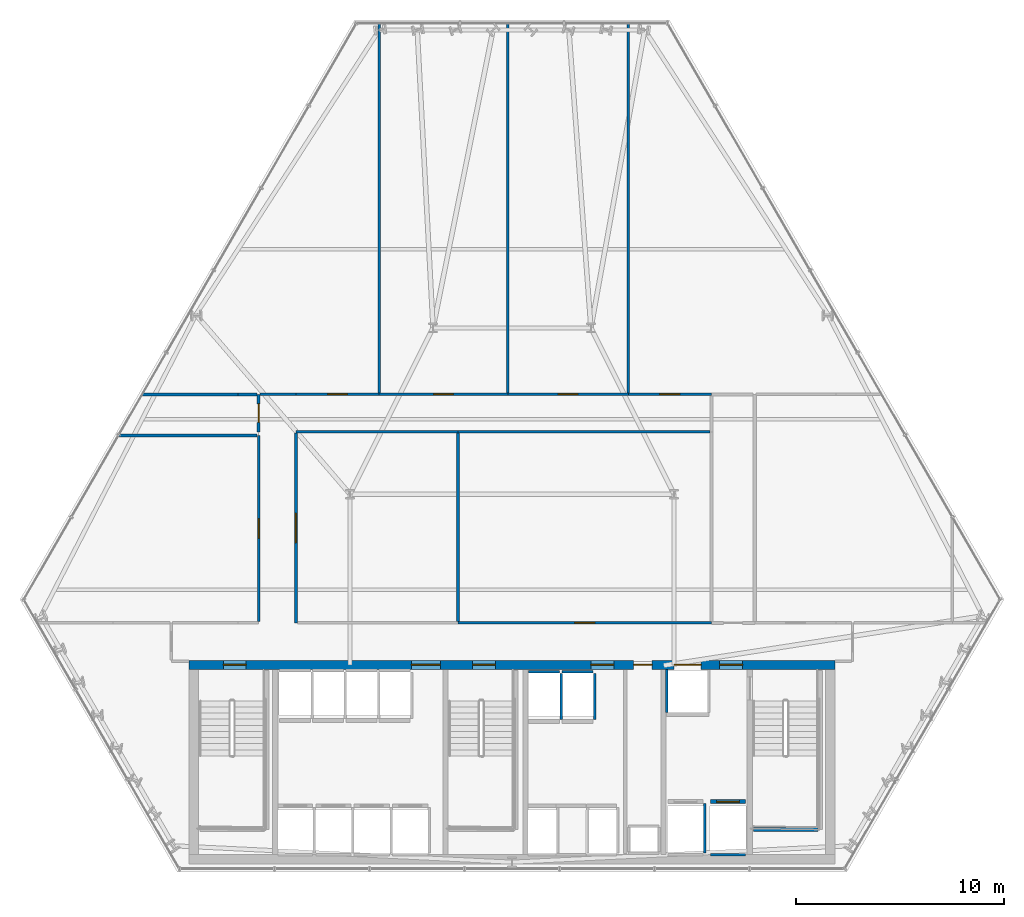
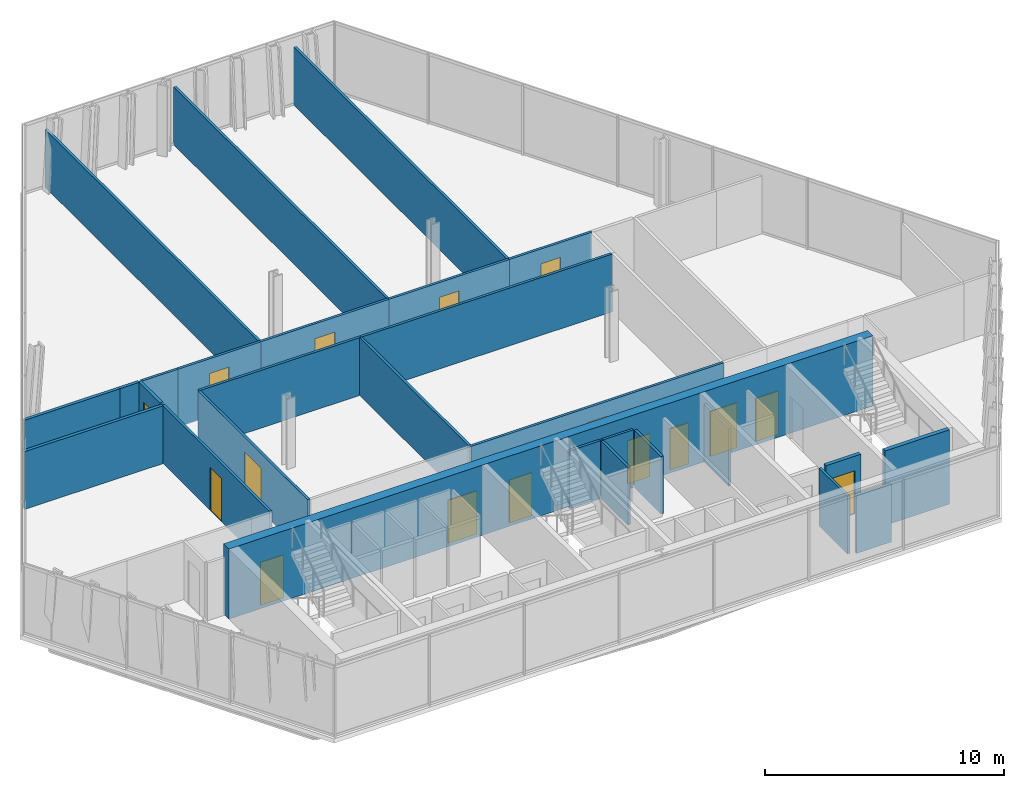
# One storey, part 28 of 32: 28 walls, 16 doors, 16 openings.
"""IFC4 building model written with IfcOpenShell, lengths in metres."""

from ifc_helpers import new_model, si_unit, direction, frame, frame_2d, origin, place, context, subcontext, project, spatial, rectangle, extrude, material, layer, layer_set, type_object, element, fill, save


model = new_model("IFC4")

# Units and contexts
model_context = context("Model", 3, precision=1e-05, world=origin(), true_north=direction((0.0, 1.0)))
body_context = subcontext(model_context, "Body", "Model", "MODEL_VIEW")
ifc_project = project(units=[si_unit("LENGTHUNIT", "METRE"), si_unit("AREAUNIT", "SQUARE_METRE"), si_unit("VOLUMEUNIT", "CUBIC_METRE"), si_unit("PLANEANGLEUNIT", "RADIAN"), si_unit("MASSUNIT", "GRAM", prefix="KILO")], contexts=[model_context])

# Site, building, storey
site_placement = place(None, origin())
site = spatial("IfcSite", under=ifc_project, at=site_placement, CompositionType="ELEMENT")
building_placement = place(site_placement, origin())
building = spatial("IfcBuilding", under=site, at=building_placement, Name="Ndaravel Arena Tower", CompositionType="ELEMENT")
storey_placement = place(building_placement, frame((0.0, 0.0, 77.800048828125)))
storey = spatial("IfcBuildingStorey", under=building, at=storey_placement, Name="L17", CompositionType="ELEMENT", Elevation=77.800048828125)

# Wall, openings, doors
ifc_material_1 = material(Name="Concrete C60/75", Category="concrete")
ifc_layer_1 = layer(ifc_material_1, 0.449951171875)
ifc_layer_set_1 = layer_set([ifc_layer_1], Name="Concrete C60/75")
wall_type_1 = type_object("IfcWallType", Name="WALL-CORE-450", PredefinedType="SOLIDWALL", material=ifc_layer_set_1)
wall_1_placement = place(storey_placement, frame((26.449951171875, 14.97509765625, 0.0), z_axis=(0.0, 0.0, 1.0), x_axis=(1.0, 0.0, 0.0)))
wall_1 = element("IfcWall", 1, at=wall_1_placement, inside=storey, type_object=wall_type_1, Name="L17 Core North Shear Wall", PredefinedType="SOLIDWALL", context=body_context, shape_type="SweptSolid", body=[
    extrude(rectangle(XDim=31.10009765625, YDim=0.449951171875, at=frame_2d((15.550048828125, 0.0))), origin(), (0.0, 0.0, 1.0), 3.579833984375),
])
opening_1_placement = place(wall_1_placement, frame((1.64990234375, 0.0, 0.0)))
opening_1 = element("IfcOpeningElement", 2, at=opening_1_placement, cuts=wall_1, Name="Opening FD-01", PredefinedType="OPENING", context=body_context, shape_type="SweptSolid", body=[
    extrude(rectangle(XDim=1.10009765625, YDim=2.199951171875, at=frame_2d((0.550048828125, 1.10009765625))), frame((0.0, 0.22509765625, 0.0), z_axis=(0.0, -1.0, 0.0), x_axis=(1.0, 0.0, 0.0)), (0.0, 0.0, 1.0), 0.449951171875),
])
opening_2_placement = place(wall_1_placement, frame((13.64990234375, 0.0, 0.0)))
opening_2 = element("IfcOpeningElement", 3, at=opening_2_placement, cuts=wall_1, Name="Opening FD-01", PredefinedType="OPENING", context=body_context, shape_type="SweptSolid", body=[
    extrude(rectangle(XDim=1.10009765625, YDim=2.199951171875, at=frame_2d((0.550048828125, 1.10009765625))), frame((0.0, 0.22509765625, 0.0), z_axis=(0.0, -1.0, 0.0), x_axis=(1.0, 0.0, 0.0)), (0.0, 0.0, 1.0), 0.449951171875),
])
opening_3_placement = place(wall_1_placement, frame((25.550048828125, 0.0, 0.0)))
opening_3 = element("IfcOpeningElement", 4, at=opening_3_placement, cuts=wall_1, Name="Opening FD-01", PredefinedType="OPENING", context=body_context, shape_type="SweptSolid", body=[
    extrude(rectangle(XDim=1.10009765625, YDim=2.199951171875, at=frame_2d((0.550048828125, 1.10009765625))), frame((0.0, 0.22509765625, 0.0), z_axis=(0.0, -1.0, 0.0), x_axis=(1.0, 0.0, 0.0)), (0.0, 0.0, 1.0), 0.449951171875),
])
opening_4_placement = place(wall_1_placement, frame((10.699951171875, 0.0, 0.0)))
opening_4 = element("IfcOpeningElement", 5, at=opening_4_placement, cuts=wall_1, Name="Opening ID-02", PredefinedType="OPENING", context=body_context, shape_type="SweptSolid", body=[
    extrude(rectangle(XDim=1.39990234375, YDim=2.199951171875, at=frame_2d((0.699951171875, 1.10009765625))), frame((0.0, 0.22509765625, 0.0), z_axis=(0.0, -1.0, 0.0), x_axis=(1.0, 0.0, 0.0)), (0.0, 0.0, 1.0), 0.449951171875),
])
opening_5_placement = place(wall_1_placement, frame((19.35009765625, 0.0, 0.0)))
opening_5 = element("IfcOpeningElement", 6, at=opening_5_placement, cuts=wall_1, Name="Opening FD-01", PredefinedType="OPENING", context=body_context, shape_type="SweptSolid", body=[
    extrude(rectangle(XDim=1.10009765625, YDim=2.199951171875, at=frame_2d((0.550048828125, 1.10009765625))), frame((0.0, 0.22509765625, 0.0), z_axis=(0.0, -1.0, 0.0), x_axis=(1.0, 0.0, 0.0)), (0.0, 0.0, 1.0), 0.449951171875),
])
opening_6_placement = place(wall_1_placement, frame((21.39990234375, 0.0, 0.0)))
opening_6 = element("IfcOpeningElement", 7, at=opening_6_placement, cuts=wall_1, Name="Opening RD-01", PredefinedType="OPENING", context=body_context, shape_type="SweptSolid", body=[
    extrude(rectangle(XDim=0.89990234375, YDim=2.10009765625, at=frame_2d((0.449951171875, 1.050048828125))), frame((0.0, 0.22509765625, 0.0), z_axis=(0.0, -1.0, 0.0), x_axis=(1.0, 0.0, 0.0)), (0.0, 0.0, 1.0), 0.449951171875),
])
opening_7_placement = place(wall_1_placement, frame((23.35009765625, 0.0, 0.0)))
opening_7 = element("IfcOpeningElement", 8, at=opening_7_placement, cuts=wall_1, Name="Opening LD-02", PredefinedType="OPENING", context=body_context, shape_type="SweptSolid", body=[
    extrude(rectangle(XDim=1.300048828125, YDim=2.300048828125, at=frame_2d((0.64990234375, 1.14990234375))), frame((0.0, 0.22509765625, 0.0), z_axis=(0.0, -1.0, 0.0), x_axis=(1.0, 0.0, 0.0)), (0.0, 0.0, 1.0), 0.449951171875),
])
ifc_material_2 = material(Name="Steel S355", Category="steel")
door_type_1 = type_object("IfcDoorType", Name="DT-01-STAIR-1100", OperationType="SINGLE_SWING_LEFT", PredefinedType="DOOR", material=ifc_material_2)
door_1_placement = place(opening_1_placement, origin())
door_1 = element("IfcDoor", 9, at=door_1_placement, inside=storey, type_object=door_type_1, Name="L17 Exit Stair ST-1 Door", OperationType="SINGLE_SWING_RIGHT", OverallHeight=2.199951171875, OverallWidth=1.10009765625, PredefinedType="DOOR", context=body_context, shape_type="SweptSolid", body=[
    extrude(rectangle(XDim=1.10009765625, YDim=2.199951171875, at=frame_2d((0.550048828125, 1.10009765625))), frame((0.0, 0.02490234375, 0.0), z_axis=(0.0, -1.0, 0.0), x_axis=(1.0, 0.0, 0.0)), (0.0, 0.0, 1.0), 0.050048828125),
])
fill(opening_1, door_1)
door_2_placement = place(opening_2_placement, origin())
door_2 = element("IfcDoor", 10, at=door_2_placement, inside=storey, type_object=door_type_1, Name="L17 Exit Stair ST-2 Door", OperationType="SINGLE_SWING_LEFT", OverallHeight=2.199951171875, OverallWidth=1.10009765625, PredefinedType="DOOR", context=body_context, shape_type="SweptSolid", body=[
    extrude(rectangle(XDim=1.10009765625, YDim=2.199951171875, at=frame_2d((0.550048828125, 1.10009765625))), frame((0.0, 0.02490234375, 0.0), z_axis=(0.0, -1.0, 0.0), x_axis=(1.0, 0.0, 0.0)), (0.0, 0.0, 1.0), 0.050048828125),
])
fill(opening_2, door_2)
door_3_placement = place(opening_3_placement, origin())
door_3 = element("IfcDoor", 11, at=door_3_placement, inside=storey, type_object=door_type_1, Name="L17 Firefighting Lift Lobby Door", OperationType="SINGLE_SWING_RIGHT", OverallHeight=2.199951171875, OverallWidth=1.10009765625, PredefinedType="DOOR", context=body_context, shape_type="SweptSolid", body=[
    extrude(rectangle(XDim=1.10009765625, YDim=2.199951171875, at=frame_2d((0.550048828125, 1.10009765625))), frame((0.0, 0.02490234375, 0.0), z_axis=(0.0, -1.0, 0.0), x_axis=(1.0, 0.0, 0.0)), (0.0, 0.0, 1.0), 0.050048828125),
])
fill(opening_3, door_3)
door_4_placement = place(opening_5_placement, origin())
door_4 = element("IfcDoor", 12, at=door_4_placement, inside=storey, type_object=door_type_1, Name="L17 Express Lift Lobby Entry Door", OperationType="SINGLE_SWING_LEFT", OverallHeight=2.199951171875, OverallWidth=1.10009765625, PredefinedType="DOOR", context=body_context, shape_type="SweptSolid", body=[
    extrude(rectangle(XDim=1.10009765625, YDim=2.199951171875, at=frame_2d((0.550048828125, 1.10009765625))), frame((0.0, 0.02490234375, 0.0), z_axis=(0.0, -1.0, 0.0), x_axis=(1.0, 0.0, 0.0)), (0.0, 0.0, 1.0), 0.050048828125),
])
fill(opening_5, door_4)
ifc_material_3 = material(Name="Timber", Category="wood")
door_type_2 = type_object("IfcDoorType", Name="DT-04-SUITE-1400", OperationType="DOUBLE_DOOR_SINGLE_SWING", PredefinedType="DOOR", material=ifc_material_3)
door_5_placement = place(opening_4_placement, origin())
door_5 = element("IfcDoor", 13, at=door_5_placement, inside=storey, type_object=door_type_2, Name="L17 West Lift Lobby Entry Door", OperationType="DOUBLE_DOOR_SINGLE_SWING", OverallHeight=2.199951171875, OverallWidth=1.39990234375, PredefinedType="DOOR", context=body_context, shape_type="SweptSolid", body=[
    extrude(rectangle(XDim=1.39990234375, YDim=2.199951171875, at=frame_2d((0.699951171875, 1.10009765625))), frame((0.0, 0.02490234375, 0.0), z_axis=(0.0, -1.0, 0.0), x_axis=(1.0, 0.0, 0.0)), (0.0, 0.0, 1.0), 0.050048828125),
])
fill(opening_4, door_5)
ifc_material_4 = material(Name="Steel S355", Category="steel")
door_type_3 = type_object("IfcDoorType", Name="DT-07-SVLIFT-1300", OperationType="DOUBLE_DOOR_SLIDING", PredefinedType="DOOR", material=ifc_material_4)
door_6_placement = place(opening_7_placement, origin())
door_6 = element("IfcDoor", 14, at=door_6_placement, inside=storey, type_object=door_type_3, Name="L17 Lift SVL-1 Sliding Landing Door", OperationType="DOUBLE_DOOR_SLIDING", OverallHeight=2.300048828125, OverallWidth=1.300048828125, PredefinedType="DOOR", context=body_context, shape_type="SweptSolid", body=[
    extrude(rectangle(XDim=1.300048828125, YDim=2.300048828125, at=frame_2d((0.64990234375, 1.14990234375))), frame((0.0, 0.02490234375, 0.0), z_axis=(0.0, -1.0, 0.0), x_axis=(1.0, 0.0, 0.0)), (0.0, 0.0, 1.0), 0.050048828125),
])
fill(opening_7, door_6)
ifc_material_5 = material(Name="Steel S355", Category="steel")
door_type_4 = type_object("IfcDoorType", Name="DT-08-RISER-900", OperationType="SINGLE_SWING_LEFT", PredefinedType="DOOR", material=ifc_material_5)
door_7_placement = place(opening_6_placement, origin())
door_7 = element("IfcDoor", 15, at=door_7_placement, inside=storey, type_object=door_type_4, Name="L17 Core Service Riser North Door", OperationType="SINGLE_SWING_LEFT", OverallHeight=2.10009765625, OverallWidth=0.89990234375, PredefinedType="DOOR", context=body_context, shape_type="SweptSolid", body=[
    extrude(rectangle(XDim=0.89990234375, YDim=2.10009765625, at=frame_2d((0.449951171875, 1.050048828125))), frame((0.0, 0.02490234375, 0.0), z_axis=(0.0, -1.0, 0.0), x_axis=(1.0, 0.0, 0.0)), (0.0, 0.0, 1.0), 0.050048828125),
])
fill(opening_6, door_7)

# Wall, opening, door
ifc_material_6 = material(Name="Gypsum", Category="gypsum")
ifc_layer_2 = layer(ifc_material_6, 0.125)
ifc_layer_set_2 = layer_set([ifc_layer_2], Name="Gypsum")
wall_type_2 = type_object("IfcWallType", Name="WALL-PART-125", PredefinedType="PARTITIONING", material=ifc_layer_set_2)
wall_2_placement = place(storey_placement, frame((29.800048828125, 17.06494140625, 0.0), z_axis=(0.0, 0.0, 1.0), x_axis=(0.0, 1.0, 0.0)))
wall_2 = element("IfcWall", 16, at=wall_2_placement, inside=storey, type_object=wall_type_2, Name="L17 Interior Partition 007", PredefinedType="PARTITIONING", context=body_context, shape_type="SweptSolid", body=[
    extrude(rectangle(XDim=8.955078125, YDim=0.125, at=frame_2d((4.4775390625, 0.0))), origin(), (0.0, 0.0, 1.0), 2.949951171875),
])
opening_8_placement = place(wall_2_placement, frame((4.00244140625, 0.0, 0.0)))
opening_8 = element("IfcOpeningElement", 17, at=opening_8_placement, cuts=wall_2, Name="Opening ID-01", PredefinedType="OPENING", context=body_context, shape_type="SweptSolid", body=[
    extrude(rectangle(XDim=0.949951171875, YDim=2.199951171875, at=frame_2d((0.47509765625, 1.10009765625))), frame((0.0, 0.0625, 0.0), z_axis=(0.0, -1.0, 0.0), x_axis=(1.0, 0.0, 0.0)), (0.0, 0.0, 1.0), 0.125),
])
ifc_material_7 = material(Name="Timber", Category="wood")
door_type_5 = type_object("IfcDoorType", Name="DT-03-OFFICE-950", OperationType="SINGLE_SWING_LEFT", PredefinedType="DOOR", material=ifc_material_7)
door_8_placement = place(opening_8_placement, origin())
door_8 = element("IfcDoor", 18, at=door_8_placement, inside=storey, type_object=door_type_5, Name="L17 Staff Wellness Clinic Door", OperationType="SINGLE_SWING_RIGHT", OverallHeight=2.199951171875, OverallWidth=0.949951171875, PredefinedType="DOOR", context=body_context, shape_type="SweptSolid", body=[
    extrude(rectangle(XDim=0.949951171875, YDim=2.199951171875, at=frame_2d((0.47509765625, 1.10009765625))), frame((0.0, 0.02490234375, 0.0), z_axis=(0.0, -1.0, 0.0), x_axis=(1.0, 0.0, 0.0)), (0.0, 0.0, 1.0), 0.050048828125),
])
fill(opening_8, door_8)

# Wall
wall_3_placement = place(storey_placement, frame((29.864990234375, 28.0, 0.0), z_axis=(0.0, 0.0, 1.0), x_axis=(1.0, 0.0, 0.0)))
element("IfcWall", 19, at=wall_3_placement, inside=storey, type_object=wall_type_2, Name="L17 Interior Partition 009", PredefinedType="PARTITIONING", context=body_context, shape_type="SweptSolid", body=[
    extrude(rectangle(XDim=1.735107421875, YDim=0.125, at=frame_2d((0.86767578125, 0.0))), origin(), (0.0, 0.0, 1.0), 2.949951171875),
])

# Wall, opening, door
wall_4_placement = place(storey_placement, frame((31.60009765625, 28.0, 0.0), z_axis=(0.0, 0.0, 1.0), x_axis=(1.0, 0.0, 0.0)))
wall_4 = element("IfcWall", 20, at=wall_4_placement, inside=storey, type_object=wall_type_2, Name="L17 Interior Partition 010", PredefinedType="PARTITIONING", context=body_context, shape_type="SweptSolid", body=[
    extrude(rectangle(XDim=4.0, YDim=0.125, at=frame_2d((2.0, 0.0))), origin(), (0.0, 0.0, 1.0), 2.949951171875),
])
opening_9_placement = place(wall_4_placement, frame((1.52490234375, 0.0, 0.0)))
opening_9 = element("IfcOpeningElement", 21, at=opening_9_placement, cuts=wall_4, Name="Opening ID-01", PredefinedType="OPENING", context=body_context, shape_type="SweptSolid", body=[
    extrude(rectangle(XDim=0.949951171875, YDim=2.199951171875, at=frame_2d((0.47509765625, 1.10009765625))), frame((0.0, 0.0625, 0.0), z_axis=(0.0, -1.0, 0.0), x_axis=(1.0, 0.0, 0.0)), (0.0, 0.0, 1.0), 0.125),
])
door_9_placement = place(opening_9_placement, origin())
door_9 = element("IfcDoor", 22, at=door_9_placement, inside=storey, type_object=door_type_5, Name="L17 Wellness Fitness Gym 2 Door", OperationType="SINGLE_SWING_RIGHT", OverallHeight=2.199951171875, OverallWidth=0.949951171875, PredefinedType="DOOR", context=body_context, shape_type="SweptSolid", body=[
    extrude(rectangle(XDim=0.949951171875, YDim=2.199951171875, at=frame_2d((0.47509765625, 1.10009765625))), frame((0.0, 0.02490234375, 0.0), z_axis=(0.0, -1.0, 0.0), x_axis=(1.0, 0.0, 0.0)), (0.0, 0.0, 1.0), 0.050048828125),
])
fill(opening_9, door_9)

wall_5_placement = place(storey_placement, frame((35.60009765625, 28.0, 0.0), z_axis=(0.0, 0.0, 1.0), x_axis=(1.0, 0.0, 0.0)))
wall_5 = element("IfcWall", 23, at=wall_5_placement, inside=storey, type_object=wall_type_2, Name="L17 Interior Partition 011", PredefinedType="PARTITIONING", context=body_context, shape_type="SweptSolid", body=[
    extrude(rectangle(XDim=6.199951171875, YDim=0.125, at=frame_2d((3.10009765625, 0.0))), origin(), (0.0, 0.0, 1.0), 2.949951171875),
])
opening_10_placement = place(wall_5_placement, frame((2.625, 0.0, 0.0)))
opening_10 = element("IfcOpeningElement", 24, at=opening_10_placement, cuts=wall_5, Name="Opening ID-01", PredefinedType="OPENING", context=body_context, shape_type="SweptSolid", body=[
    extrude(rectangle(XDim=0.949951171875, YDim=2.199951171875, at=frame_2d((0.47509765625, 1.10009765625))), frame((0.0, 0.0625, 0.0), z_axis=(0.0, -1.0, 0.0), x_axis=(1.0, 0.0, 0.0)), (0.0, 0.0, 1.0), 0.125),
])
door_10_placement = place(opening_10_placement, origin())
door_10 = element("IfcDoor", 25, at=door_10_placement, inside=storey, type_object=door_type_5, Name="L17 Executive Corner Office 4 Door", OperationType="SINGLE_SWING_RIGHT", OverallHeight=2.199951171875, OverallWidth=0.949951171875, PredefinedType="DOOR", context=body_context, shape_type="SweptSolid", body=[
    extrude(rectangle(XDim=0.949951171875, YDim=2.199951171875, at=frame_2d((0.47509765625, 1.10009765625))), frame((0.0, 0.02490234375, 0.0), z_axis=(0.0, -1.0, 0.0), x_axis=(1.0, 0.0, 0.0)), (0.0, 0.0, 1.0), 0.050048828125),
])
fill(opening_10, door_10)

wall_6_placement = place(storey_placement, frame((41.800048828125, 28.0, 0.0), z_axis=(0.0, 0.0, 1.0), x_axis=(1.0, 0.0, 0.0)))
wall_6 = element("IfcWall", 26, at=wall_6_placement, inside=storey, type_object=wall_type_2, Name="L17 Interior Partition 012", PredefinedType="PARTITIONING", context=body_context, shape_type="SweptSolid", body=[
    extrude(rectangle(XDim=5.800048828125, YDim=0.125, at=frame_2d((2.89990234375, 0.0))), origin(), (0.0, 0.0, 1.0), 2.949951171875),
])
opening_11_placement = place(wall_6_placement, frame((2.425048828125, 0.0, 0.0)))
opening_11 = element("IfcOpeningElement", 27, at=opening_11_placement, cuts=wall_6, Name="Opening ID-01", PredefinedType="OPENING", context=body_context, shape_type="SweptSolid", body=[
    extrude(rectangle(XDim=0.949951171875, YDim=2.199951171875, at=frame_2d((0.47509765625, 1.10009765625))), frame((0.0, 0.0625, 0.0), z_axis=(0.0, -1.0, 0.0), x_axis=(1.0, 0.0, 0.0)), (0.0, 0.0, 1.0), 0.125),
])
door_11_placement = place(opening_11_placement, origin())
door_11 = element("IfcDoor", 28, at=door_11_placement, inside=storey, type_object=door_type_5, Name="L17 Design Workshop 4 Door", OperationType="SINGLE_SWING_LEFT", OverallHeight=2.199951171875, OverallWidth=0.949951171875, PredefinedType="DOOR", context=body_context, shape_type="SweptSolid", body=[
    extrude(rectangle(XDim=0.949951171875, YDim=2.199951171875, at=frame_2d((0.47509765625, 1.10009765625))), frame((0.0, 0.02490234375, 0.0), z_axis=(0.0, -1.0, 0.0), x_axis=(1.0, 0.0, 0.0)), (0.0, 0.0, 1.0), 0.050048828125),
])
fill(opening_11, door_11)

wall_7_placement = place(storey_placement, frame((47.60009765625, 28.0, 0.0), z_axis=(0.0, 0.0, 1.0), x_axis=(1.0, 0.0, 0.0)))
wall_7 = element("IfcWall", 29, at=wall_7_placement, inside=storey, type_object=wall_type_2, Name="L17 Interior Partition 013", PredefinedType="PARTITIONING", context=body_context, shape_type="SweptSolid", body=[
    extrude(rectangle(XDim=4.0, YDim=0.125, at=frame_2d((2.0, 0.0))), origin(), (0.0, 0.0, 1.0), 2.949951171875),
])
opening_12_placement = place(wall_7_placement, frame((1.52490234375, 0.0, 0.0)))
opening_12 = element("IfcOpeningElement", 30, at=opening_12_placement, cuts=wall_7, Name="Opening ID-01", PredefinedType="OPENING", context=body_context, shape_type="SweptSolid", body=[
    extrude(rectangle(XDim=0.949951171875, YDim=2.199951171875, at=frame_2d((0.47509765625, 1.10009765625))), frame((0.0, 0.0625, 0.0), z_axis=(0.0, -1.0, 0.0), x_axis=(1.0, 0.0, 0.0)), (0.0, 0.0, 1.0), 0.125),
])
door_12_placement = place(opening_12_placement, origin())
door_12 = element("IfcDoor", 31, at=door_12_placement, inside=storey, type_object=door_type_5, Name="L17 Media Cinema Room 3 Door", OperationType="SINGLE_SWING_LEFT", OverallHeight=2.199951171875, OverallWidth=0.949951171875, PredefinedType="DOOR", context=body_context, shape_type="SweptSolid", body=[
    extrude(rectangle(XDim=0.949951171875, YDim=2.199951171875, at=frame_2d((0.47509765625, 1.10009765625))), frame((0.0, 0.02490234375, 0.0), z_axis=(0.0, -1.0, 0.0), x_axis=(1.0, 0.0, 0.0)), (0.0, 0.0, 1.0), 0.050048828125),
])
fill(opening_12, door_12)

# Walls
wall_8_placement = place(storey_placement, frame((51.534912109375, 26.199951171875, 0.0), z_axis=(0.0, 0.0, 1.0), x_axis=(-1.0, 0.0, 0.0)))
element("IfcWall", 32, at=wall_8_placement, inside=storey, type_object=wall_type_2, Name="L17 Interior Partition 015", PredefinedType="PARTITIONING", context=body_context, shape_type="SweptSolid", body=[
    extrude(rectangle(XDim=12.135009765625, YDim=0.125, at=frame_2d((6.0673828125, 0.0))), origin(), (0.0, 0.0, 1.0), 2.949951171875),
])
wall_9_placement = place(storey_placement, frame((39.39990234375, 26.199951171875, 0.0), z_axis=(0.0, 0.0, 1.0), x_axis=(-1.0, 0.0, 0.0)))
element("IfcWall", 33, at=wall_9_placement, inside=storey, type_object=wall_type_2, Name="L17 Interior Partition 016", PredefinedType="PARTITIONING", context=body_context, shape_type="SweptSolid", body=[
    extrude(rectangle(XDim=7.7998046875, YDim=0.125, at=frame_2d((3.89990234375, 0.0))), origin(), (0.0, 0.0, 1.0), 2.949951171875),
])

# Wall, opening, door
wall_10_placement = place(storey_placement, frame((31.60009765625, 26.135009765625, 0.0), z_axis=(0.0, 0.0, 1.0), x_axis=(0.0, -1.0, 0.0)))
wall_10 = element("IfcWall", 34, at=wall_10_placement, inside=storey, type_object=wall_type_2, Name="L17 Interior Partition 017", PredefinedType="PARTITIONING", context=body_context, shape_type="SweptSolid", body=[
    extrude(rectangle(XDim=9.135009765625, YDim=0.125, at=frame_2d((4.5673828125, 0.0))), origin(), (0.0, 0.0, 1.0), 2.949951171875),
])
opening_13_placement = place(wall_10_placement, frame((3.867431640625, 0.0, 0.0)))
opening_13 = element("IfcOpeningElement", 35, at=opening_13_placement, cuts=wall_10, Name="Opening ID-02", PredefinedType="OPENING", context=body_context, shape_type="SweptSolid", body=[
    extrude(rectangle(XDim=1.39990234375, YDim=2.199951171875, at=frame_2d((0.699951171875, 1.10009765625))), frame((0.0, 0.0625, 0.0), z_axis=(0.0, -1.0, 0.0), x_axis=(1.0, 0.0, 0.0)), (0.0, 0.0, 1.0), 0.125),
])
door_13_placement = place(opening_13_placement, origin())
door_13 = element("IfcDoor", 36, at=door_13_placement, inside=storey, type_object=door_type_2, Name="L17 Executive Boardroom Door", OperationType="SINGLE_SWING_LEFT", OverallHeight=2.199951171875, OverallWidth=1.39990234375, PredefinedType="DOOR", context=body_context, shape_type="SweptSolid", body=[
    extrude(rectangle(XDim=1.39990234375, YDim=2.199951171875, at=frame_2d((0.699951171875, 1.10009765625))), frame((0.0, 0.02490234375, 0.0), z_axis=(0.0, -1.0, 0.0), x_axis=(1.0, 0.0, 0.0)), (0.0, 0.0, 1.0), 0.050048828125),
])
fill(opening_13, door_13)

wall_11_placement = place(storey_placement, frame((39.39990234375, 17.0, 0.0), z_axis=(0.0, 0.0, 1.0), x_axis=(1.0, 0.0, 0.0)))
wall_11 = element("IfcWall", 37, at=wall_11_placement, inside=storey, type_object=wall_type_2, Name="L17 Interior Partition 019", PredefinedType="PARTITIONING", context=body_context, shape_type="SweptSolid", body=[
    extrude(rectangle(XDim=12.2001953125, YDim=0.125, at=frame_2d((6.10009765625, 0.0))), origin(), (0.0, 0.0, 1.0), 2.949951171875),
])
opening_14_placement = place(wall_11_placement, frame((5.625, 0.0, 0.0)))
opening_14 = element("IfcOpeningElement", 38, at=opening_14_placement, cuts=wall_11, Name="Opening ID-01", PredefinedType="OPENING", context=body_context, shape_type="SweptSolid", body=[
    extrude(rectangle(XDim=0.949951171875, YDim=2.199951171875, at=frame_2d((0.47509765625, 1.10009765625))), frame((0.0, 0.0625, 0.0), z_axis=(0.0, -1.0, 0.0), x_axis=(1.0, 0.0, 0.0)), (0.0, 0.0, 1.0), 0.125),
])
door_14_placement = place(opening_14_placement, origin())
door_14 = element("IfcDoor", 39, at=door_14_placement, inside=storey, type_object=door_type_5, Name="L17 Cellular Partner Office 2 Door", OperationType="SINGLE_SWING_RIGHT", OverallHeight=2.199951171875, OverallWidth=0.949951171875, PredefinedType="DOOR", context=body_context, shape_type="SweptSolid", body=[
    extrude(rectangle(XDim=0.949951171875, YDim=2.199951171875, at=frame_2d((0.47509765625, 1.10009765625))), frame((0.0, 0.02490234375, 0.0), z_axis=(0.0, -1.0, 0.0), x_axis=(1.0, 0.0, 0.0)), (0.0, 0.0, 1.0), 0.050048828125),
])
fill(opening_14, door_14)

# Walls
wall_12_placement = place(storey_placement, frame((39.39990234375, 26.135009765625, 0.0), z_axis=(0.0, 0.0, 1.0), x_axis=(0.0, -1.0, 0.0)))
element("IfcWall", 40, at=wall_12_placement, inside=storey, type_object=wall_type_2, Name="L17 Interior Partition 028", PredefinedType="PARTITIONING", context=body_context, shape_type="SweptSolid", body=[
    extrude(rectangle(XDim=9.070068359375, YDim=0.125, at=frame_2d((4.53515625, 0.0))), origin(), (0.0, 0.0, 1.0), 2.949951171875),
])
for number, where, z_axis, x_axis, name in (
    (41, (35.60009765625, 45.865478515625, 0.0), (0.0, 0.0, 1.0), (0.0, -1.0, 0.0), "L17 Interior Partition 037"),
    (42, (47.60009765625, 28.06494140625, 0.0), (0.0, 0.0, 1.0), (0.0, 1.0, 0.0), "L17 Interior Partition 038"),
    (43, (41.800048828125, 45.865478515625, 0.0), (0.0, 0.0, 1.0), (0.0, -1.0, 0.0), "L17 Interior Partition 039"),
):
    element("IfcWall", number, at=place(storey_placement, frame(where, z_axis=z_axis, x_axis=x_axis)), inside=storey, type_object=wall_type_2, Name=name, PredefinedType="PARTITIONING", context=body_context, shape_type="SweptSolid", body=[
        extrude(rectangle(XDim=17.800537109375, YDim=0.125, at=frame_2d((8.900390625, 0.0))), origin(), (0.0, 0.0, 1.0), 2.949951171875),
    ])
ifc_material_8 = material(Name="Concrete C40/50", Category="concrete")
ifc_layer_3 = layer(ifc_material_8, 0.1201171875)
ifc_layer_set_3 = layer_set([ifc_layer_3], Name="Concrete C40/50")
wall_type_3 = type_object("IfcWallType", Name="WALL-SHAFT-120", PredefinedType="SOLIDWALL", material=ifc_layer_set_3)
wall_13_placement = place(storey_placement, frame((42.804931640625, 14.659912109375, 0.0), z_axis=(0.0, 0.0, 1.0), x_axis=(1.0, 0.0, 0.0)))
element("IfcWall", 44, at=wall_13_placement, inside=storey, type_object=wall_type_3, Name="L17 PL-OBS1 Shaft Rear Wall", PredefinedType="SOLIDWALL", context=body_context, shape_type="SweptSolid", body=[
    extrude(rectangle(XDim=1.489990234375, YDim=0.1201171875, at=frame_2d((0.7451171875, 0.0))), origin(), (0.0, 0.0, 1.0), 2.949951171875),
])
wall_14_placement = place(storey_placement, frame((44.375, 12.340087890625, 0.0), z_axis=(0.0, 0.0, 1.0), x_axis=(0.0, 1.0, 0.0)))
element("IfcWall", 45, at=wall_14_placement, inside=storey, type_object=wall_type_3, Name="L17 PL-OBS1 Shaft Side R Wall", PredefinedType="SOLIDWALL", context=body_context, shape_type="SweptSolid", body=[
    extrude(rectangle(XDim=2.22998046875, YDim=0.1201171875, at=frame_2d((1.114990234375, 0.0))), origin(), (0.0, 0.0, 1.0), 2.949951171875),
])
wall_15_placement = place(storey_placement, frame((44.405029296875, 14.659912109375, 0.0), z_axis=(0.0, 0.0, 1.0), x_axis=(1.0, 0.0, 0.0)))
element("IfcWall", 46, at=wall_15_placement, inside=storey, type_object=wall_type_3, Name="L17 PL-OBS2 Shaft Rear Wall", PredefinedType="SOLIDWALL", context=body_context, shape_type="SweptSolid", body=[
    extrude(rectangle(XDim=1.489990234375, YDim=0.1201171875, at=frame_2d((0.7451171875, 0.0))), origin(), (0.0, 0.0, 1.0), 2.949951171875),
])
wall_16_placement = place(storey_placement, frame((45.97509765625, 12.340087890625, 0.0), z_axis=(0.0, 0.0, 1.0), x_axis=(0.0, 1.0, 0.0)))
element("IfcWall", 47, at=wall_16_placement, inside=storey, type_object=wall_type_3, Name="L17 PL-OBS2 Shaft Side R Wall", PredefinedType="SOLIDWALL", context=body_context, shape_type="SweptSolid", body=[
    extrude(rectangle(XDim=2.22998046875, YDim=0.1201171875, at=frame_2d((1.114990234375, 0.0))), origin(), (0.0, 0.0, 1.0), 2.949951171875),
])
wall_17_placement = place(storey_placement, frame((51.27490234375, 5.929931640625, 0.0), z_axis=(0.0, 0.0, 1.0), x_axis=(0.0, 1.0, 0.0)))
element("IfcWall", 48, at=wall_17_placement, inside=storey, type_object=wall_type_3, Name="L17 FFL-1 Shaft Side R Wall", PredefinedType="SOLIDWALL", context=body_context, shape_type="SweptSolid", body=[
    extrude(rectangle(XDim=2.380126953125, YDim=0.1201171875, at=frame_2d((1.18994140625, 0.0))), origin(), (0.0, 0.0, 1.0), 2.949951171875),
])
wall_18_placement = place(storey_placement, frame((51.554931640625, 5.840087890625, 0.0), z_axis=(0.0, 0.0, 1.0), x_axis=(1.0, 0.0, 0.0)))
element("IfcWall", 49, at=wall_18_placement, inside=storey, type_object=wall_type_3, Name="L17 FFL-2 Shaft Rear Wall", PredefinedType="SOLIDWALL", context=body_context, shape_type="SweptSolid", body=[
    extrude(rectangle(XDim=1.690185546875, YDim=0.1201171875, at=frame_2d((0.84521484375, 0.0))), origin(), (0.0, 0.0, 1.0), 2.949951171875),
])
wall_19_placement = place(storey_placement, frame((49.43994140625, 12.68994140625, 0.0), z_axis=(0.0, 0.0, 1.0), x_axis=(0.0, 1.0, 0.0)))
element("IfcWall", 50, at=wall_19_placement, inside=storey, type_object=wall_type_3, Name="L17 SVL-1 Shaft W Wall", PredefinedType="SOLIDWALL", context=body_context, shape_type="SweptSolid", body=[
    extrude(rectangle(XDim=2.070068359375, YDim=0.1201171875, at=frame_2d((1.03515625, 0.0))), origin(), (0.0, 0.0, 1.0), 2.949951171875),
])
ifc_material_9 = material(Name="Concrete C40/50", Category="concrete")
ifc_layer_4 = layer(ifc_material_9, 0.199951171875)
ifc_layer_set_4 = layer_set([ifc_layer_4], Name="Concrete C40/50")
wall_type_4 = type_object("IfcWallType", Name="WALL-SHAFT-200", PredefinedType="SOLIDWALL", material=ifc_layer_set_4)
wall_20_placement = place(storey_placement, frame((53.6201171875, 7.050048828125, 0.0), z_axis=(0.0, 0.0, 1.0), x_axis=(1.0, 0.0, 0.0)))
element("IfcWall", 51, at=wall_20_placement, inside=storey, type_object=wall_type_4, Name="L17 ST-3 Structural Shaft Wall Far", PredefinedType="SOLIDWALL", context=body_context, shape_type="SweptSolid", body=[
    extrude(rectangle(XDim=3.114990234375, YDim=0.199951171875, at=frame_2d((1.5576171875, 0.0))), origin(), (0.0, 0.0, 1.0), 3.800048828125),
])

# Wall, opening, door
wall_21_placement = place(storey_placement, frame((51.554931640625, 8.39990234375, 0.0), z_axis=(0.0, 0.0, 1.0), x_axis=(1.0, 0.0, 0.0)))
wall_21 = element("IfcWall", 52, at=wall_21_placement, inside=storey, type_object=wall_type_4, Name="L17 FFL-2 Shaft Landing Wall", PredefinedType="SOLIDWALL", context=body_context, shape_type="SweptSolid", body=[
    extrude(rectangle(XDim=1.690185546875, YDim=0.179931640625, at=frame_2d((0.84521484375, 0.0))), origin(), (0.0, 0.0, 1.0), 2.949951171875),
])
opening_15_placement = place(wall_21_placement, frame((0.294921875, 0.0, 0.0)))
opening_15 = element("IfcOpeningElement", 53, at=opening_15_placement, cuts=wall_21, Name="Opening LD-01", PredefinedType="OPENING", context=body_context, shape_type="SweptSolid", body=[
    extrude(rectangle(XDim=1.10009765625, YDim=2.199951171875, at=frame_2d((0.550048828125, 1.10009765625))), frame((0.0, 0.08984375, 0.0), z_axis=(0.0, -1.0, 0.0), x_axis=(1.0, 0.0, 0.0)), (0.0, 0.0, 1.0), 0.179931640625),
])
ifc_material_10 = material(Name="Steel S355", Category="steel")
door_type_6 = type_object("IfcDoorType", Name="DT-06-LIFT-1100", OperationType="SLIDING_TO_LEFT", PredefinedType="DOOR", material=ifc_material_10)
door_15_placement = place(opening_15_placement, origin())
door_15 = element("IfcDoor", 54, at=door_15_placement, inside=storey, type_object=door_type_6, Name="L17 Lift FFL-2 Sliding Landing Door", OperationType="SLIDING_TO_LEFT", OverallHeight=2.199951171875, OverallWidth=1.10009765625, PredefinedType="DOOR", context=body_context, shape_type="SweptSolid", body=[
    extrude(rectangle(XDim=1.10009765625, YDim=2.199951171875, at=frame_2d((0.550048828125, 1.10009765625))), frame((0.0, 0.02490234375, 0.0), z_axis=(0.0, -1.0, 0.0), x_axis=(1.0, 0.0, 0.0)), (0.0, 0.0, 1.0), 0.050048828125),
])
fill(opening_15, door_15)

ifc_material_11 = material(Name="Masonry", Category="masonry")
ifc_layer_5 = layer(ifc_material_11, 0.14990234375)
ifc_layer_set_5 = layer_set([ifc_layer_5], Name="Masonry")
wall_type_5 = type_object("IfcWallType", Name="WALL-WET-150", PredefinedType="PARTITIONING", material=ifc_layer_set_5)
wall_22_placement = place(storey_placement, frame((29.800048828125, 26.199951171875, 0.0), z_axis=(0.0, 0.0, 1.0), x_axis=(0.0, 1.0, 0.0)))
wall_22 = element("IfcWall", 55, at=wall_22_placement, inside=storey, type_object=wall_type_5, Name="L17 Interior Partition 008", PredefinedType="PARTITIONING", context=body_context, shape_type="SweptSolid", body=[
    extrude(rectangle(XDim=1.800048828125, YDim=0.14990234375, at=frame_2d((0.89990234375, 0.0))), origin(), (0.0, 0.0, 1.0), 2.949951171875),
])
opening_16_placement = place(wall_22_placement, frame((0.449951171875, 0.0, 0.0)))
opening_16 = element("IfcOpeningElement", 56, at=opening_16_placement, cuts=wall_22, Name="Opening WD-01", PredefinedType="OPENING", context=body_context, shape_type="SweptSolid", body=[
    extrude(rectangle(XDim=0.89990234375, YDim=2.14990234375, at=frame_2d((0.449951171875, 1.074951171875))), frame((0.0, 0.074951171875, 0.0), z_axis=(0.0, -1.0, 0.0), x_axis=(1.0, 0.0, 0.0)), (0.0, 0.0, 1.0), 0.14990234375),
])
ifc_material_12 = material(Name="Timber", Category="wood")
door_type_7 = type_object("IfcDoorType", Name="DT-05-WC-900", OperationType="SINGLE_SWING_LEFT", PredefinedType="DOOR", material=ifc_material_12)
door_16_placement = place(opening_16_placement, origin())
door_16 = element("IfcDoor", 57, at=door_16_placement, inside=storey, type_object=door_type_7, Name="L17 Female & Accessible Restroom Door", OperationType="SINGLE_SWING_LEFT", OverallHeight=2.14990234375, OverallWidth=0.89990234375, PredefinedType="DOOR", context=body_context, shape_type="SweptSolid", body=[
    extrude(rectangle(XDim=0.89990234375, YDim=2.14990234375, at=frame_2d((0.449951171875, 1.074951171875))), frame((0.0, 0.02490234375, 0.0), z_axis=(0.0, -1.0, 0.0), x_axis=(1.0, 0.0, 0.0)), (0.0, 0.0, 1.0), 0.050048828125),
])
fill(opening_16, door_16)

# Walls
wall_23_placement = place(storey_placement, frame((23.055419921875, 26.02001953125, 0.0), z_axis=(0.0, 0.0, 1.0), x_axis=(1.0, 0.0, 0.0)))
element("IfcWall", 58, at=wall_23_placement, inside=storey, type_object=wall_type_5, Name="L17 Interior Partition 027", PredefinedType="PARTITIONING", context=body_context, shape_type="SweptSolid", body=[
    extrude(rectangle(XDim=6.6796875, YDim=0.14990234375, at=frame_2d((3.33984375, 0.0))), origin(), (0.0, 0.0, 1.0), 2.949951171875),
])
wall_24_placement = place(storey_placement, frame((24.19873046875, 28.0, 0.0), z_axis=(0.0, 0.0, 1.0), x_axis=(1.0, 0.0, 0.0)))
element("IfcWall", 59, at=wall_24_placement, inside=storey, type_object=wall_type_5, Name="L17 Interior Partition 035", PredefinedType="PARTITIONING", context=body_context, shape_type="SweptSolid", body=[
    extrude(rectangle(XDim=4.601318359375, YDim=0.14990234375, at=frame_2d((2.30078125, 0.0))), origin(), (0.0, 0.0, 1.0), 2.949951171875),
])
wall_25_placement = place(storey_placement, frame((28.800048828125, 28.0, 0.0), z_axis=(0.0, 0.0, 1.0), x_axis=(1.0, 0.0, 0.0)))
element("IfcWall", 60, at=wall_25_placement, inside=storey, type_object=wall_type_5, Name="L17 Interior Partition 036", PredefinedType="PARTITIONING", context=body_context, shape_type="SweptSolid", body=[
    extrude(rectangle(XDim=0.93505859375, YDim=0.14990234375, at=frame_2d((0.467529296875, 0.0))), origin(), (0.0, 0.0, 1.0), 2.949951171875),
])

save(model, "model.ifc")
